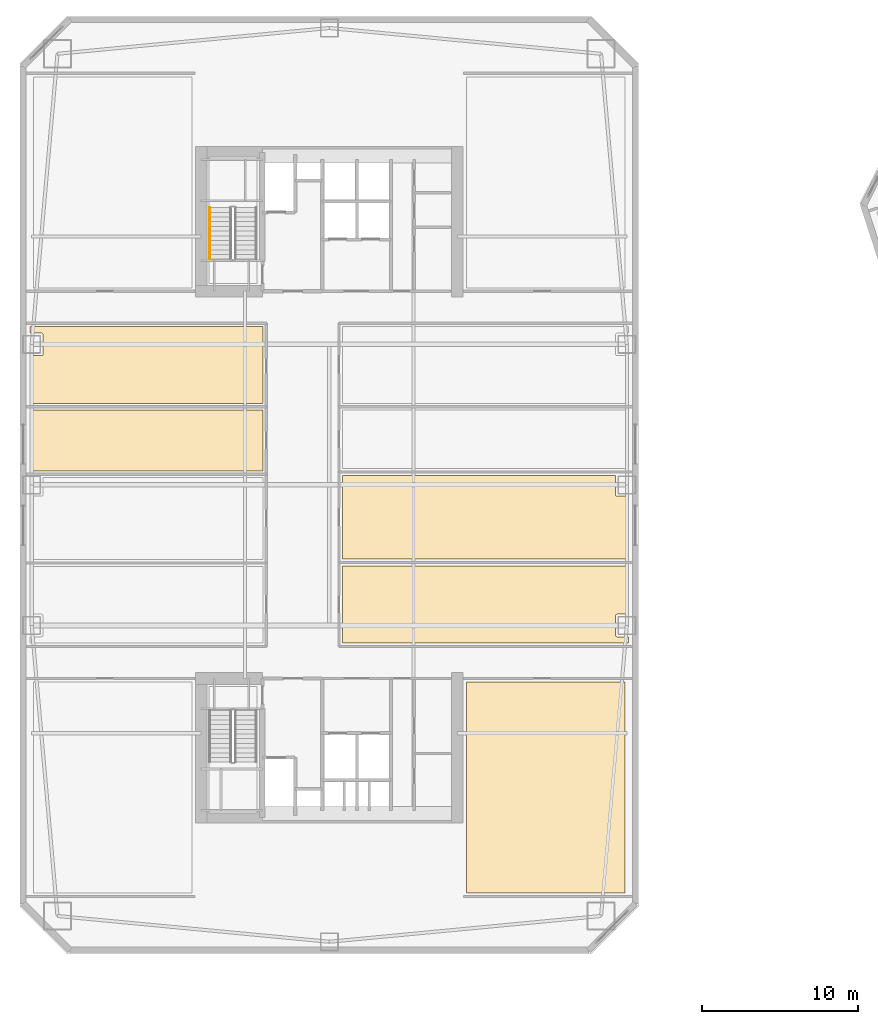
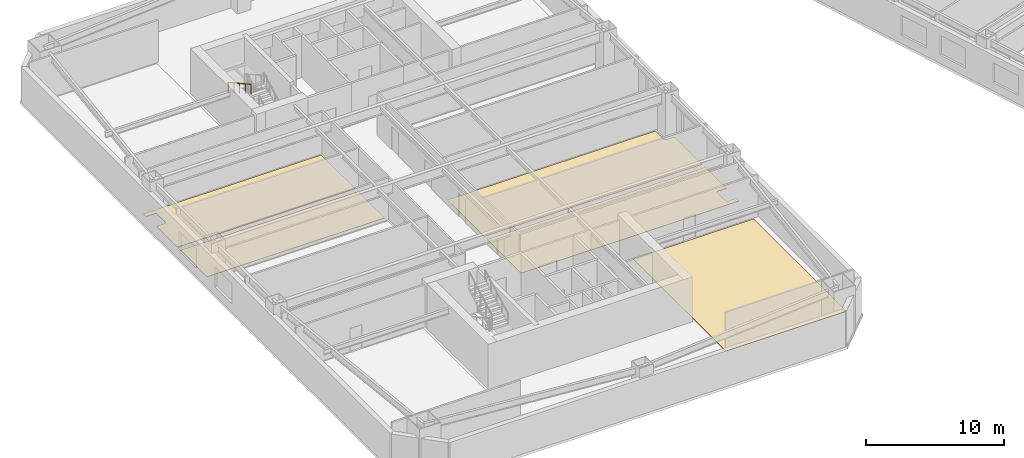
# One storey, part 17 of 24: 5 coverings, 1 railing.
"""IFC4 building model written with IfcOpenShell, lengths in metres."""

from ifc_helpers import new_model, si_unit, direction, frame, origin, origin_2d, place, context, subcontext, project, spatial, polyline, circle, outline, extrude, material, layer, layer_set, type_object, element, save


model = new_model("IFC4")

# Units and contexts
model_context = context("Model", 3, precision=1e-05, world=origin(), true_north=direction((0.0, 1.0)))
body_context = subcontext(model_context, "Body", "Model", "MODEL_VIEW")
ifc_project = project(units=[si_unit("LENGTHUNIT", "METRE"), si_unit("AREAUNIT", "SQUARE_METRE"), si_unit("VOLUMEUNIT", "CUBIC_METRE"), si_unit("PLANEANGLEUNIT", "RADIAN"), si_unit("MASSUNIT", "GRAM", prefix="KILO")], contexts=[model_context])

# Site, building, storey
site_placement = place(None, origin())
site = spatial("IfcSite", under=ifc_project, at=site_placement, CompositionType="ELEMENT")
building_placement = place(site_placement, origin())
building = spatial("IfcBuilding", under=site, at=building_placement, Name="Qiaolan Cultural Towers", CompositionType="ELEMENT")
storey_placement = place(building_placement, frame((0.0, 0.0, 30.0)))
storey = spatial("IfcBuildingStorey", under=building, at=storey_placement, Name="L06", CompositionType="ELEMENT", Elevation=30.0)

# Coverings
ifc_material_1 = material(Name="Honed Terrazzo & Raised Access Flooring", Category="concrete")
ifc_layer = layer(ifc_material_1, 0.0400390625)
ifc_layer_set = layer_set([ifc_layer], Name="Honed Terrazzo & Raised Access Flooring")
covering_type = type_object("IfcCoveringType", Name="COV-FLR-STONE", PredefinedType="FLOORING", material=ifc_layer_set)
covering_1_placement = place(storey_placement, origin())
element("IfcCovering", 1, at=covering_1_placement, inside=storey, type_object=covering_type, Name="L06 Corner Curatorial Office Finish Flooring", PredefinedType="FLOORING", context=body_context, shape_type="SweptSolid", body=[
    extrude(outline(polyline([(48.929931640625, 7.8701171875), (48.929931640625, 21.3798828125), (38.800048828125, 21.3798828125), (38.800048828125, 7.8701171875), (48.929931640625, 7.8701171875)])), origin(), (0.0, 0.0, 1.0), 0.0400390625),
])
covering_2_placement = place(storey_placement, origin())
element("IfcCovering", 2, at=covering_2_placement, inside=storey, type_object=covering_type, Name="L06 Conservation Studio Finish Flooring", PredefinedType="FLOORING", context=body_context, shape_type="SweptSolid", body=[
    extrude(outline(polyline([(25.7548828125, 34.89990234375), (25.7548828125, 38.780029296875), (10.840087890625, 38.780029296875), (10.840087890625, 34.89990234375), (25.7548828125, 34.89990234375)])), origin(), (0.0, 0.0, 1.0), 0.0400390625),
])
covering_3_placement = place(storey_placement, origin())
element("IfcCovering", 3, at=covering_3_placement, inside=storey, type_object=covering_type, Name="L06 Gallery Exhibition Room Finish Flooring", PredefinedType="FLOORING", context=body_context, shape_type="SweptSolid", body=[
    extrude(outline(polyline([(10.840087890625, 43.72509765625), (11.554931640625, 43.72509765625), (11.566650390625, 43.724365234375), (11.578369140625, 43.72265625), (11.58984375, 43.7197265625), (11.600830078125, 43.7158203125), (11.611572265625, 43.7109375), (11.62158203125, 43.704833984375), (11.631103515625, 43.69775390625), (11.639892578125, 43.68994140625), (11.647705078125, 43.68115234375), (11.65478515625, 43.671630859375), (11.660888671875, 43.66162109375), (11.665771484375, 43.65087890625), (11.669921875, 43.639892578125), (11.672607421875, 43.62841796875), (11.67431640625, 43.61669921875), (11.675048828125, 43.60498046875), (11.675048828125, 42.39501953125), (11.67431640625, 42.38330078125), (11.672607421875, 42.37158203125), (11.669921875, 42.360107421875), (11.665771484375, 42.34912109375), (11.660888671875, 42.33837890625), (11.65478515625, 42.328369140625), (11.647705078125, 42.31884765625), (11.639892578125, 42.31005859375), (11.631103515625, 42.30224609375), (11.62158203125, 42.295166015625), (11.611572265625, 42.2890625), (11.600830078125, 42.2841796875), (11.58984375, 42.2802734375), (11.578369140625, 42.27734375), (11.566650390625, 42.275634765625), (11.554931640625, 42.27490234375), (10.840087890625, 42.27490234375), (10.840087890625, 39.219970703125), (25.7548828125, 39.219970703125), (25.7548828125, 44.1298828125), (10.840087890625, 44.1298828125), (10.840087890625, 43.72509765625)])), origin(), (0.0, 0.0, 1.0), 0.0400390625),
])
covering_4_placement = place(storey_placement, origin())
element("IfcCovering", 4, at=covering_4_placement, inside=storey, type_object=covering_type, Name="L06 Design Office Finish Flooring", PredefinedType="FLOORING", context=body_context, shape_type="SweptSolid", body=[
    extrude(outline(polyline([(49.159912109375, 24.27490234375), (48.445068359375, 24.27490234375), (48.433349609375, 24.275634765625), (48.421630859375, 24.27734375), (48.41015625, 24.2802734375), (48.399169921875, 24.2841796875), (48.388427734375, 24.2890625), (48.37841796875, 24.295166015625), (48.368896484375, 24.30224609375), (48.360107421875, 24.31005859375), (48.352294921875, 24.31884765625), (48.34521484375, 24.328369140625), (48.339111328125, 24.33837890625), (48.334228515625, 24.34912109375), (48.330078125, 24.360107421875), (48.327392578125, 24.37158203125), (48.32568359375, 24.38330078125), (48.324951171875, 24.39501953125), (48.324951171875, 25.60498046875), (48.32568359375, 25.61669921875), (48.327392578125, 25.62841796875), (48.330078125, 25.639892578125), (48.334228515625, 25.65087890625), (48.339111328125, 25.66162109375), (48.34521484375, 25.671630859375), (48.352294921875, 25.68115234375), (48.360107421875, 25.68994140625), (48.368896484375, 25.69775390625), (48.37841796875, 25.704833984375), (48.388427734375, 25.7109375), (48.399169921875, 25.7158203125), (48.41015625, 25.7197265625), (48.421630859375, 25.72265625), (48.433349609375, 25.724365234375), (48.445068359375, 25.72509765625), (49.159912109375, 25.72509765625), (49.159912109375, 28.81201171875), (30.844970703125, 28.81201171875), (30.844970703125, 23.8701171875), (49.159912109375, 23.8701171875), (49.159912109375, 24.27490234375)])), origin(), (0.0, 0.0, 1.0), 0.0400390625),
])
covering_5_placement = place(storey_placement, origin())
element("IfcCovering", 5, at=covering_5_placement, inside=storey, type_object=covering_type, Name="L06 Boardroom Finish Flooring", PredefinedType="FLOORING", context=body_context, shape_type="SweptSolid", body=[
    extrude(outline(polyline([(30.844970703125, 34.60791015625), (30.844970703125, 29.251953125), (49.159912109375, 29.251953125), (49.159912109375, 33.27490234375), (48.445068359375, 33.27490234375), (48.433349609375, 33.275634765625), (48.421630859375, 33.27734375), (48.41015625, 33.2802734375), (48.399169921875, 33.2841796875), (48.388427734375, 33.2890625), (48.37841796875, 33.295166015625), (48.368896484375, 33.30224609375), (48.360107421875, 33.31005859375), (48.352294921875, 33.31884765625), (48.34521484375, 33.328369140625), (48.339111328125, 33.33837890625), (48.334228515625, 33.34912109375), (48.330078125, 33.360107421875), (48.327392578125, 33.37158203125), (48.32568359375, 33.38330078125), (48.324951171875, 33.39501953125), (48.324951171875, 34.60498046875), (48.3251953125, 34.60791015625), (30.844970703125, 34.60791015625)])), origin(), (0.0, 0.0, 1.0), 0.0400390625),
])

# Railing
ifc_material_2 = material(Name="Stainless Steel S30408 Tubular Handrail", Category="steel")
railing_type = type_object("IfcRailingType", Name="RL-STAIR-HR", PredefinedType="HANDRAIL", material=ifc_material_2)
railing_placement = place(storey_placement, frame((22.35009765625, 51.75, 2.166748046875)))
element("IfcRailing", 6, at=railing_placement, inside=storey, type_object=railing_type, Name="L06 ST-W2 stair handrail 2", PredefinedType="HANDRAIL", context=body_context, shape_type="SweptSolid", body=[
    extrude(circle(Radius=0.02392578125, at=origin_2d()), frame((0.0, 0.0, 0.8759765625), z_axis=(0.0, -0.874169478083, 0.485620966999), x_axis=(1.0, 0.0, 0.0)), (0.0, 0.0, 1.0), 3.775146484375),
    extrude(circle(Radius=0.02099609375, at=origin_2d()), origin(), (0.0, 0.0, 1.0), 0.851806640625),
    extrude(circle(Radius=0.02099609375, at=origin_2d()), frame((0.0, -0.824951171875, 0.458251953125)), (0.0, 0.0, 1.0), 0.851806640625),
    extrude(circle(Radius=0.02099609375, at=origin_2d()), frame((0.0, -1.64990234375, 0.91650390625)), (0.0, 0.0, 1.0), 0.851806640625),
    extrude(circle(Radius=0.02099609375, at=origin_2d()), frame((0.0, -2.47509765625, 1.375)), (0.0, 0.0, 1.0), 0.851806640625),
    extrude(circle(Radius=0.02099609375, at=origin_2d()), frame((0.0, -3.300048828125, 1.833251953125)), (0.0, 0.0, 1.0), 0.851806640625),
])

save(model, "model.ifc")
